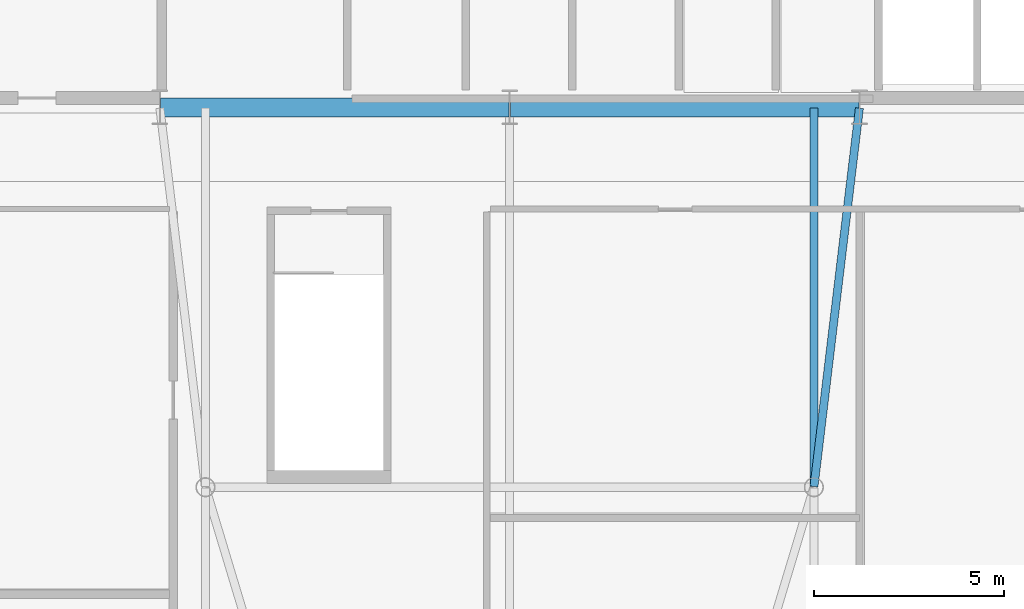
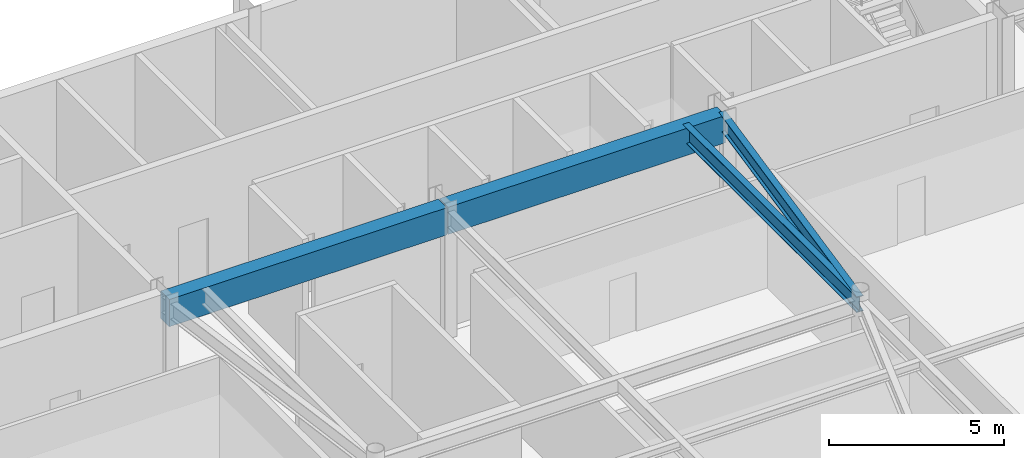
# One storey, part 12 of 20: 4 beams.
"""IFC4 building model written with IfcOpenShell, lengths in metres."""

import ifcopenshell
import ifcopenshell.guid

model = None  # the IFC model being written
_history = None  # IfcOwnerHistory: only IFC2X3 demands one
_inside = {}  # id of a spatial element -> (the spatial element, [elements in it])
_under = {}  # id of a project, library or spatial element -> (it, [spatial elements below it])
_declared = {}  # id of a project -> (the project, [libraries it declares])
_typed = {}  # id of a type object -> (the type object, [elements of that type])
_made_of = {}  # id of a material, layer set ... -> (it, [elements and type objects made of it])


def new_model(schema):
    """Start an empty IFC model of exactly this schema.

    Asked for "IFC4X3", IfcOpenShell would pick the latest addendum, in which some entities
    have other attributes; the version numbers below select the first issue.
    IFC2X3 requires an IfcOwnerHistory on every rooted entity: one is made here for all.
    """
    global model, _history
    if schema == "IFC4X3":
        model = ifcopenshell.file(schema_version=(4, 3, 0, 0))
    else:
        model = ifcopenshell.file(schema=schema)
    _inside.clear()
    _under.clear()
    _declared.clear()
    _typed.clear()
    _made_of.clear()
    _history = None
    if model.schema == "IFC2X3":
        org = make("IfcOrganization", Name="unknown")
        user = make(
            "IfcPersonAndOrganization",
            ThePerson=make("IfcPerson", FamilyName="unknown"),
            TheOrganization=org,
        )
        app = make(
            "IfcApplication",
            ApplicationDeveloper=org,
            Version="unknown",
            ApplicationFullName="unknown",
            ApplicationIdentifier="unknown",
        )
        _history = make(
            "IfcOwnerHistory",
            OwningUser=user,
            OwningApplication=app,
            ChangeAction="ADDED",
            CreationDate=0,
        )
    return model


def make(cls, **values):
    """One entity of the class cls with the attributes given. An attribute that is None is left unset."""
    return model.create_entity(
        cls, **{name: value for name, value in values.items() if value is not None}
    )


def rooted(cls, **values):
    """An entity with a GlobalId (a new one), such as an element, a storey or a relation."""
    return make(cls, GlobalId=ifcopenshell.guid.new(), OwnerHistory=_history, **values)


def si_unit(unit_type, name, prefix=None):
    """IfcSIUnit, for example si_unit("LENGTHUNIT", "METRE", prefix="MILLI")."""
    return make("IfcSIUnit", UnitType=unit_type, Prefix=prefix, Name=name)


def assignment(units):
    """IfcUnitAssignment: the units of a project."""
    return None if units is None else make("IfcUnitAssignment", Units=units)


def point(xyz):
    """IfcCartesianPoint."""
    return None if xyz is None else make("IfcCartesianPoint", Coordinates=xyz)


def direction(xyz):
    """IfcDirection."""
    return None if xyz is None else make("IfcDirection", DirectionRatios=xyz)


def frame(location, z_axis=None, x_axis=None):
    """IfcAxis2Placement3D, a coordinate frame: its origin and axes. An axis left out is left unset."""
    return make(
        "IfcAxis2Placement3D",
        Location=point(location),
        Axis=direction(z_axis),
        RefDirection=direction(x_axis),
    )


def frame_2d(location, x_axis=None):
    """IfcAxis2Placement2D, a coordinate frame in the plane: its origin and x axis."""
    return make(
        "IfcAxis2Placement2D", Location=point(location), RefDirection=direction(x_axis)
    )


def origin():
    """The frame at (0, 0, 0) with its axes left unset."""
    return frame((0.0, 0.0, 0.0))


def origin_2d():
    """The frame at (0, 0) in the plane with its x axis left unset."""
    return frame_2d((0.0, 0.0))


def place(relative_to, where):
    """IfcLocalPlacement: puts the frame where relative to a parent placement (None: the world)."""
    return make(
        "IfcLocalPlacement", PlacementRelTo=relative_to, RelativePlacement=where
    )


def context(
    kind, dimensions, precision=None, world=None, true_north=None, identifier=None
):
    """IfcGeometricRepresentationContext, for example the 3D "Model" context."""
    return make(
        "IfcGeometricRepresentationContext",
        ContextIdentifier=identifier,
        ContextType=kind,
        CoordinateSpaceDimension=dimensions,
        Precision=precision,
        WorldCoordinateSystem=world,
        TrueNorth=true_north,
    )


def subcontext(parent, identifier, kind, view, scale=None):
    """IfcGeometricRepresentationSubContext, for example "Body" below "Model"."""
    return make(
        "IfcGeometricRepresentationSubContext",
        ContextIdentifier=identifier,
        ContextType=kind,
        ParentContext=parent,
        TargetScale=scale,
        TargetView=view,
    )


def project(units=None, contexts=None):
    """IfcProject with its units and contexts."""
    return rooted(
        "IfcProject",
        Name="project",
        RepresentationContexts=contexts,
        UnitsInContext=assignment(units),
    )


def spatial(cls, under=None, at=None, **own):
    """A site, building, storey or space (cls), placed at a placement, below another one or the project."""
    s = rooted(cls, ObjectPlacement=at, **own)
    if under is not None:
        _under.setdefault(under.id(), (under, []))[1].append(s)
    return s


def profile(cls, at=None, kind="AREA", **sizes):
    """A parametric profile (cls). Its sizes go by their IFC names, for example OverallWidth=200.0."""
    return make(cls, ProfileType=kind, Position=at, **sizes)


def rectangle(**sizes):
    """IfcRectangleProfileDef."""
    return profile("IfcRectangleProfileDef", **sizes)


def i_section(**sizes):
    """IfcIShapeProfileDef."""
    return profile("IfcIShapeProfileDef", **sizes)


def extrude(swept, where, along, depth):
    """IfcExtrudedAreaSolid: the profile swept, set in the frame where, extruded along a direction by depth."""
    return make(
        "IfcExtrudedAreaSolid",
        SweptArea=swept,
        Position=where,
        ExtrudedDirection=direction(along),
        Depth=depth,
    )


def shape(context_of_items, identifier, shape_type, items):
    """IfcShapeRepresentation: the items that make up one representation, for example the "Body"."""
    return make(
        "IfcShapeRepresentation",
        ContextOfItems=context_of_items,
        RepresentationIdentifier=identifier,
        RepresentationType=shape_type,
        Items=items,
    )


def source(mapping_origin, context_of_items, identifier, shape_type, items):
    """IfcRepresentationMap: a shape defined once, which mapped items show again and again."""
    return make(
        "IfcRepresentationMap",
        MappingOrigin=mapping_origin,
        MappedRepresentation=shape(context_of_items, identifier, shape_type, items),
    )


def transform(
    local_origin,
    x_axis=None,
    y_axis=None,
    z_axis=None,
    scale=None,
    scale2=None,
    scale3=None,
    uniform=True,
):
    """IfcCartesianTransformationOperator3D, or its non-uniform kind. x_axis, y_axis, z_axis: its Axis1, 2, 3."""
    if uniform:
        return make(
            "IfcCartesianTransformationOperator3D",
            Axis1=direction(x_axis),
            Axis2=direction(y_axis),
            LocalOrigin=point(local_origin),
            Scale=scale,
            Axis3=direction(z_axis),
        )
    return make(
        "IfcCartesianTransformationOperator3DnonUniform",
        Axis1=direction(x_axis),
        Axis2=direction(y_axis),
        LocalOrigin=point(local_origin),
        Scale=scale,
        Axis3=direction(z_axis),
        Scale2=scale2,
        Scale3=scale3,
    )


def mapped(mapping_source, mapping_target):
    """IfcMappedItem: shows the shape of a source again, moved by a transform."""
    return make(
        "IfcMappedItem", MappingSource=mapping_source, MappingTarget=mapping_target
    )


def material(Name=None, Category=None):
    """IfcMaterial."""
    return make("IfcMaterial", Name=Name, Category=Category)


def material_profile(
    of_material, cross_section, Name=None, Category=None, Priority=None
):
    """IfcMaterialProfile: a cross section and its material."""
    return make(
        "IfcMaterialProfile",
        Name=Name,
        Material=of_material,
        Profile=cross_section,
        Priority=Priority,
        Category=Category,
    )


def profile_set(profiles, Name=None, composite=None):
    """IfcMaterialProfileSet."""
    return make(
        "IfcMaterialProfileSet",
        Name=Name,
        MaterialProfiles=profiles,
        CompositeProfile=composite,
    )


def made_of(thing, what):
    """Note that an element or type object is made of a material, layer set ...; save() writes the relation."""
    if what is not None:
        _made_of.setdefault(what.id(), (what, []))[1].append(thing)
    return thing


def type_object(cls, material=None, **own):
    """A type object (cls), such as IfcWallType, which elements share."""
    return made_of(rooted(cls, **own), material)


def type_shapes(of_type, sources):
    """Give a type object the sources (RepresentationMaps) that its elements show as mapped items."""
    of_type.RepresentationMaps = sources


def element(
    cls,
    number,
    at=None,
    inside=None,
    cuts=None,
    type_object=None,
    material=None,
    context=None,
    identifier="Body",
    shape_type=None,
    held_by="IfcProductDefinitionShape",
    body=None,
    shapes=None,
    **own,
):
    """One element of the class cls, such as IfcWall. Its Tag is "e" and its number.

    at: its placement. inside: the storey or other place that contains it. cuts: it is an
    opening in that element (IfcRelVoidsElement). A single representation is given by context,
    identifier, shape_type and body (its items); several are given by shapes. held_by: the class
    of the entity that holds the representations. save() writes the other relations.
    """
    e = rooted(cls, Tag="e%d" % number, ObjectPlacement=at, **own)
    if body is not None:
        shapes = [shape(context, identifier, shape_type, body)]
    if shapes is not None:
        e.Representation = make(held_by, Representations=shapes)
    if inside is not None:
        _inside.setdefault(inside.id(), (inside, []))[1].append(e)
    if cuts is not None:
        rooted(
            "IfcRelVoidsElement", RelatingBuildingElement=cuts, RelatedOpeningElement=e
        )
    if type_object is not None:
        _typed.setdefault(type_object.id(), (type_object, []))[1].append(e)
    return made_of(e, material)


def aggregate(whole, parts):
    """IfcRelAggregates: a whole, such as a stair, and the parts it consists of."""
    return rooted("IfcRelAggregates", RelatingObject=whole, RelatedObjects=parts)


def save(model, path):
    """Write the relations noted so far, then the file.

    IfcRelAggregates (storeys below a building ...), IfcRelContainedInSpatialStructure (elements
    in a storey), IfcRelDefinesByType, IfcRelAssociatesMaterial and IfcRelDeclares: one each for
    every whole, place, type object, material and project.
    """
    for whole, parts in _under.values():
        aggregate(whole, parts)
    for where, things in _inside.values():
        rooted(
            "IfcRelContainedInSpatialStructure",
            RelatedElements=things,
            RelatingStructure=where,
        )
    for kind, things in _typed.values():
        rooted("IfcRelDefinesByType", RelatedObjects=things, RelatingType=kind)
    for what, things in _made_of.values():
        rooted("IfcRelAssociatesMaterial", RelatedObjects=things, RelatingMaterial=what)
    for by, libraries in _declared.values():
        rooted("IfcRelDeclares", RelatingContext=by, RelatedDefinitions=libraries)
    model.write(path)


model = new_model("IFC4")

# Units and contexts
model_context = context("Model", 3, precision=1e-05, world=origin(), true_north=direction((0.0, 1.0)))
body_context = subcontext(model_context, "Body", "Model", "MODEL_VIEW")
ifc_project = project(units=[si_unit("LENGTHUNIT", "METRE"), si_unit("AREAUNIT", "SQUARE_METRE"), si_unit("VOLUMEUNIT", "CUBIC_METRE"), si_unit("PLANEANGLEUNIT", "RADIAN"), si_unit("MASSUNIT", "GRAM", prefix="KILO")], contexts=[model_context])

# Site, building, storey
site_placement = place(None, origin())
site = spatial("IfcSite", under=ifc_project, at=site_placement, CompositionType="ELEMENT")
building_placement = place(site_placement, origin())
building = spatial("IfcBuilding", under=site, at=building_placement, Name="Varnel Quay Broadcast Tower", CompositionType="ELEMENT")
storey_placement = place(building_placement, frame((0.0, 0.0, 309.800048828125)))
storey = spatial("IfcBuildingStorey", under=building, at=storey_placement, Name="L77", CompositionType="ELEMENT", Elevation=309.800048828125)

# Beams
ifc_material_1 = material(Name="Concrete CSA A23.3 C50/60", Category="concrete")
ifc_material_profile_1 = material_profile(ifc_material_1, rectangle(XDim=0.5, YDim=0.949951171875, at=origin_2d()), Name="RC500X950")
ifc_profile_set_1 = profile_set([ifc_material_profile_1], Name="Concrete CSA A23.3 C50/60")
beam_type_1 = type_object("IfcBeamType", Name="Beam_RC500X950", PredefinedType="BEAM", material=ifc_profile_set_1)
shared_shape_1 = source(origin(), body_context, "Body", "SweptSolid", [
    extrude(rectangle(XDim=0.5, YDim=0.949951171875, at=origin_2d()), origin(), (0.0, 0.0, 1.0), 9.159912109375),
])
type_shapes(beam_type_1, [shared_shape_1])
for number, where, z_axis, x_axis, name in (
    (1, (24.820068359375, 35.60009765625, 4.0048828125), (1.0, 0.0, 0.0), (0.0, 1.0, 0.0), "L77 Core Coupling Beam W"),
    (2, (34.02001953125, 35.60009765625, 4.0048828125), (1.0, 0.0, 0.0), (0.0, 1.0, 0.0), "L77 Core Coupling Beam E"),
):
    element("IfcBeam", number, at=place(storey_placement, frame(where, z_axis=z_axis, x_axis=x_axis)), inside=storey, type_object=beam_type_1, Name=name, PredefinedType="BEAM", context=body_context, shape_type="MappedRepresentation", body=[
        mapped(shared_shape_1, transform((0.0, 0.0, 0.0), x_axis=(1.0, 0.0, 0.0), y_axis=(0.0, 1.0, 0.0), z_axis=(0.0, 0.0, 1.0), scale=1.0)),
    ])
ifc_material_2 = material(Name="Structural Steel CSA G40.21 350W", Category="steel")
ifc_material_profile_2 = material_profile(ifc_material_2, i_section(OverallWidth=0.2119140625, OverallDepth=0.5439453125, WebThickness=0.01318359375, FlangeThickness=0.021240234375, FilletRadius=0.013916015625, at=origin_2d()), Name="W530X123")
ifc_profile_set_2 = profile_set([ifc_material_profile_2], Name="Structural Steel CSA G40.21 350W")
beam_type_2 = type_object("IfcBeamType", Name="Girder_W530X123", PredefinedType="BEAM", material=ifc_profile_set_2)
shared_shape_2 = source(origin(), body_context, "Body", "SweptSolid", [
    extrude(i_section(OverallWidth=0.2119140625, OverallDepth=0.5439453125, WebThickness=0.01318359375, FlangeThickness=0.021240234375, FilletRadius=0.013916015625, at=origin_2d()), origin(), (0.0, 0.0, 1.0), 10.021728515625),
])
beam_1_placement = place(storey_placement, frame((42.00244140625, 25.6298828125, 4.2080078125), z_axis=(0.119248005741, 0.992864498875, 0.0), x_axis=(-0.992864498875, 0.119248005741, 0.0)))
element("IfcBeam", 3, at=beam_1_placement, inside=storey, type_object=beam_type_2, Name="L77 Primary Girder IC-02-CC-S4", PredefinedType="BEAM", context=body_context, shape_type="MappedRepresentation", body=[
    mapped(shared_shape_2, transform((0.0, 0.0, 0.0), x_axis=(1.0, 0.0, 0.0), y_axis=(0.0, 1.0, 0.0), z_axis=(0.0, 0.0, 1.0), scale=1.0)),
])
shared_shape_3 = source(origin(), body_context, "Body", "SweptSolid", [
    extrude(i_section(OverallWidth=0.2119140625, OverallDepth=0.5439453125, WebThickness=0.01318359375, FlangeThickness=0.021240234375, FilletRadius=0.013916015625, at=origin_2d()), origin(), (0.0, 0.0, 1.0), 9.9501953125),
])
type_shapes(beam_type_2, [shared_shape_2, shared_shape_3])
beam_2_placement = place(storey_placement, frame((42.0, 25.6298828125, 4.2080078125), z_axis=(0.0, 1.0, 0.0), x_axis=(-1.0, 0.0, 0.0)))
element("IfcBeam", 4, at=beam_2_placement, inside=storey, type_object=beam_type_2, Name="L77 N-S Joist Header IC-02N", PredefinedType="BEAM", context=body_context, shape_type="MappedRepresentation", body=[
    mapped(shared_shape_3, transform((0.0, 0.0, 0.0), x_axis=(1.0, 0.0, 0.0), y_axis=(0.0, 1.0, 0.0), z_axis=(0.0, 0.0, 1.0), scale=1.0)),
])

save(model, "model.ifc")
